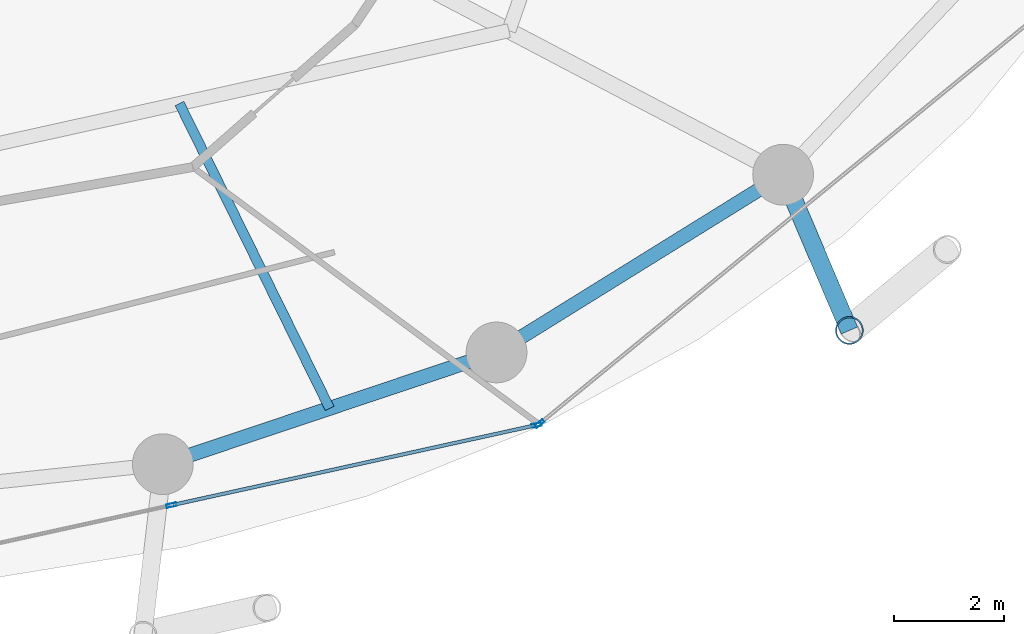
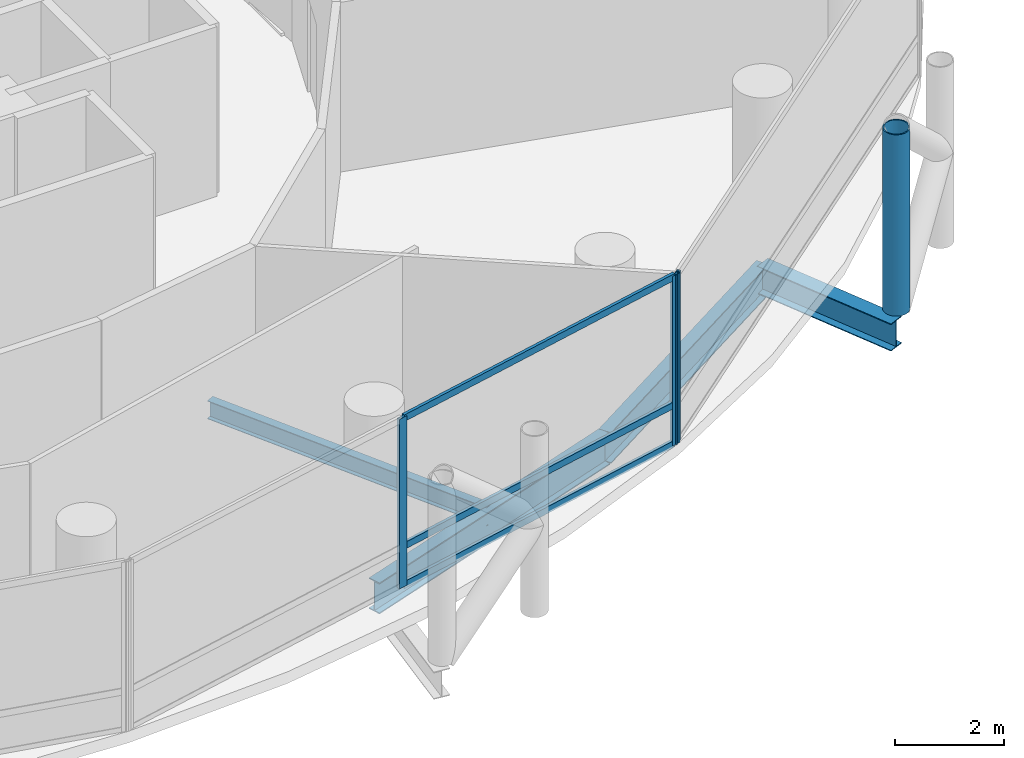
# One storey, part 8 of 24: 7 members, 4 beams, 2 elements without a shape of their own.
"""IFC4 building model written with IfcOpenShell, lengths in metres."""

from ifc_helpers import new_model, si_unit, direction, frame, origin, origin_2d, place, context, subcontext, project, spatial, hollow_rectangle, hollow_circle, i_section, extrude, material, layer, layer_set, material_profile, profile_set, type_object, element, aggregate, save


model = new_model("IFC4")

# Units and contexts
model_context = context("Model", 3, precision=1e-05, world=origin(), true_north=direction((0.0, 1.0)))
body_context = subcontext(model_context, "Body", "Model", "MODEL_VIEW")
ifc_project = project(units=[si_unit("LENGTHUNIT", "METRE"), si_unit("AREAUNIT", "SQUARE_METRE"), si_unit("VOLUMEUNIT", "CUBIC_METRE"), si_unit("PLANEANGLEUNIT", "RADIAN"), si_unit("MASSUNIT", "GRAM", prefix="KILO")], contexts=[model_context])

# Site, building, storey
site_placement = place(None, origin())
site = spatial("IfcSite", under=ifc_project, at=site_placement, CompositionType="ELEMENT")
building_placement = place(site_placement, origin())
building = spatial("IfcBuilding", under=site, at=building_placement, Name="Nuhasar Tower", CompositionType="ELEMENT")
storey_placement = place(building_placement, frame((0.0, 0.0, 37.199951171875)))
storey = spatial("IfcBuildingStorey", under=building, at=storey_placement, Name="L08", CompositionType="ELEMENT", Elevation=37.199951171875)

# Beams
ifc_material_1 = material(Name="Steel S355", Category="steel")
ifc_material_profile_1 = material_profile(ifc_material_1, i_section(OverallWidth=0.177978515625, OverallDepth=0.406005859375, WebThickness=0.0078125, FlangeThickness=0.0126953125, at=origin_2d()), Name="W16X40")
ifc_profile_set_1 = profile_set([ifc_material_profile_1], Name="Steel S355")
beam_type_1 = type_object("IfcBeamType", Name="BM-JST-W16X40", PredefinedType="JOIST", material=ifc_profile_set_1)
beam_1_placement = place(storey_placement, frame((45.783935546875, 13.77001953125, -0.462890625), z_axis=(0.442126747458, -0.89695258469, 0.0), x_axis=(0.89695258469, 0.442126747458, 0.0)))
element("IfcBeam", 1, at=beam_1_placement, inside=storey, type_object=beam_type_1, Name="L08 Secondary Floor Joist 02", PredefinedType="JOIST", context=body_context, shape_type="SweptSolid", body=[
    extrude(i_section(OverallWidth=0.177978515625, OverallDepth=0.406005859375, WebThickness=0.0078125, FlangeThickness=0.0126953125, at=origin_2d()), origin(), (0.0, 0.0, 1.0), 6.152099609375),
])
ifc_material_profile_2 = material_profile(ifc_material_1, i_section(OverallWidth=0.256103515625, OverallDepth=0.693115234375, WebThickness=0.014404296875, FlangeThickness=0.023681640625, at=origin_2d()), Name="W27X114")
ifc_profile_set_2 = profile_set([ifc_material_profile_2], Name="Steel S355")
beam_type_2 = type_object("IfcBeamType", Name="BM-RING-W27X114", PredefinedType="SPANDREL", material=ifc_profile_set_2)
beam_2_placement = place(storey_placement, frame((45.48291015625, 7.239990234375, -0.60693359375), z_axis=(0.94826097201, 0.317491935271, 0.0), x_axis=(-0.317491935271, 0.94826097201, 0.0)))
element("IfcBeam", 2, at=beam_2_placement, inside=storey, type_object=beam_type_2, Name="L08 Perimeter Ring Spandrel 20", PredefinedType="SPANDREL", context=body_context, shape_type="SweptSolid", body=[
    extrude(i_section(OverallWidth=0.256103515625, OverallDepth=0.693115234375, WebThickness=0.014404296875, FlangeThickness=0.023681640625, at=origin_2d()), origin(), (0.0, 0.0, 1.0), 6.37158203125),
])
beam_3_placement = place(storey_placement, frame((51.52490234375, 9.262939453125, -0.60693359375), z_axis=(0.849795216549, 0.527112976439, 0.0), x_axis=(-0.527112976439, 0.849795216549, 0.0)))
element("IfcBeam", 3, at=beam_3_placement, inside=storey, type_object=beam_type_2, Name="L08 Perimeter Ring Spandrel 21", PredefinedType="SPANDREL", context=body_context, shape_type="SweptSolid", body=[
    extrude(i_section(OverallWidth=0.256103515625, OverallDepth=0.693115234375, WebThickness=0.014404296875, FlangeThickness=0.023681640625, at=origin_2d()), origin(), (0.0, 0.0, 1.0), 6.10498046875),
])
ifc_material_profile_3 = material_profile(ifc_material_1, i_section(OverallWidth=0.323974609375, OverallDepth=0.611083984375, WebThickness=0.0126953125, FlangeThickness=0.01904296875, at=origin_2d()), Name="W24X104")
ifc_profile_set_3 = profile_set([ifc_material_profile_3], Name="Steel S355")
beam_type_3 = type_object("IfcBeamType", Name="BM-TIE-W24X104", PredefinedType="BEAM", material=ifc_profile_set_3)
beam_4_placement = place(storey_placement, frame((56.712890625, 12.48095703125, -0.56591796875), z_axis=(0.391601084021, -0.920135093882, 0.0), x_axis=(0.920135093882, 0.391601084021, 0.0)))
element("IfcBeam", 4, at=beam_4_placement, inside=storey, type_object=beam_type_3, Name="L08 Exoskeleton Node Tie Beam 11", PredefinedType="BEAM", context=body_context, shape_type="SweptSolid", body=[
    extrude(i_section(OverallWidth=0.323974609375, OverallDepth=0.611083984375, WebThickness=0.0126953125, FlangeThickness=0.01904296875, at=origin_2d()), origin(), (0.0, 0.0, 1.0), 3.06494140625),
])

# Curtain wall, members
ifc_material_2 = material(Name="Aluminium 6063-T6", Category="aluminium")
ifc_layer = layer(ifc_material_2, 0.199951171875)
ifc_layer_set = layer_set([ifc_layer], Name="Aluminium 6063-T6")
curtain_wall_type = type_object("IfcCurtainWallType", Name="CW-Z1-OFF", PredefinedType="NOTDEFINED", material=ifc_layer_set)
curtain_wall_1_placement = place(storey_placement, origin())
curtain_wall_1 = element("IfcCurtainWall", 5, at=curtain_wall_1_placement, inside=storey, type_object=curtain_wall_type, Name="L08 Unitised Curtain Wall 10", PredefinedType="NOTDEFINED")
ifc_material_profile_4 = material_profile(ifc_material_2, hollow_rectangle(XDim=0.06494140625, YDim=0.179931640625, WallThickness=0.0048828125, at=origin_2d()), Name="CWM-2")
ifc_profile_set_4 = profile_set([ifc_material_profile_4], Name="Aluminium 6063-T6")
member_type_1 = type_object("IfcMemberType", Name="CW-MUL-S2", PredefinedType="MULLION", material=ifc_profile_set_4)
member_1_placement = place(storey_placement, frame((45.639892578125, 6.49755859375, 0.0), z_axis=(0.0, 0.0, 1.0), x_axis=(-0.214398737637, 0.976746221544, 0.0)))
member_1 = element("IfcMember", 6, at=member_1_placement, type_object=member_type_1, Name="CW-Z1 mullion 2", PredefinedType="MULLION", context=body_context, shape_type="SweptSolid", body=[
    extrude(hollow_rectangle(XDim=0.06494140625, YDim=0.179931640625, WallThickness=0.0048828125, at=origin_2d()), origin(), (0.0, 0.0, 1.0), 3.7900390625),
])
member_2_placement = place(storey_placement, frame((52.248291015625, 7.947998046875, 0.0), z_axis=(0.0, 0.0, 1.0), x_axis=(-0.214398737637, 0.976746221544, 0.0)))
member_2 = element("IfcMember", 7, at=member_2_placement, type_object=member_type_1, Name="CW-Z1 mullion 3", PredefinedType="MULLION", context=body_context, shape_type="SweptSolid", body=[
    extrude(hollow_rectangle(XDim=0.06494140625, YDim=0.179931640625, WallThickness=0.0048828125, at=origin_2d()), origin(), (0.0, 0.0, 1.0), 3.7900390625),
])

# Curtain wall, member
curtain_wall_2_placement = place(storey_placement, origin())
curtain_wall_2 = element("IfcCurtainWall", 8, at=curtain_wall_2_placement, inside=storey, type_object=curtain_wall_type, Name="L08 Unitised Curtain Wall 11", PredefinedType="NOTDEFINED")
member_3_placement = place(storey_placement, frame((52.30517578125, 7.9755859375, 0.0), z_axis=(0.0, 0.0, 1.0), x_axis=(-0.633744593376, 0.773542364946, 0.0)))
member_3 = element("IfcMember", 9, at=member_3_placement, type_object=member_type_1, Name="CW-Z1 mullion 1", PredefinedType="MULLION", context=body_context, shape_type="SweptSolid", body=[
    extrude(hollow_rectangle(XDim=0.06494140625, YDim=0.179931640625, WallThickness=0.0048828125, at=origin_2d()), origin(), (0.0, 0.0, 1.0), 3.7900390625),
])
aggregate(curtain_wall_2, [member_3])

# Member
ifc_material_profile_5 = material_profile(ifc_material_2, hollow_rectangle(XDim=0.06494140625, YDim=0.14990234375, WallThickness=0.00439453125, at=origin_2d()), Name="CWT-2")
ifc_profile_set_5 = profile_set([ifc_material_profile_5], Name="Aluminium 6063-T6")
member_type_2 = type_object("IfcMemberType", Name="CW-TRN-S2", PredefinedType="USERDEFINED", material=ifc_profile_set_5)
member_4_placement = place(storey_placement, frame((45.671630859375, 6.50439453125, 0.032470703125), z_axis=(0.976741923778, 0.214418316228, 0.0), x_axis=(-0.214418316228, 0.976741923778, 0.0)))
member_4 = element("IfcMember", 10, at=member_4_placement, type_object=member_type_2, Name="CW-Z1 transom 2.1", ObjectType="TRANSOM", PredefinedType="USERDEFINED", context=body_context, shape_type="SweptSolid", body=[
    extrude(hollow_rectangle(XDim=0.06494140625, YDim=0.14990234375, WallThickness=0.00439453125, at=origin_2d()), origin(), (0.0, 0.0, 1.0), 6.70068359375),
])

member_5_placement = place(storey_placement, frame((45.671630859375, 6.50439453125, 0.900146484375), z_axis=(0.976741923778, 0.214418316228, 0.0), x_axis=(-0.214418316228, 0.976741923778, 0.0)))
member_5 = element("IfcMember", 11, at=member_5_placement, type_object=member_type_2, Name="CW-Z1 transom 2.2", ObjectType="TRANSOM", PredefinedType="USERDEFINED", context=body_context, shape_type="SweptSolid", body=[
    extrude(hollow_rectangle(XDim=0.06494140625, YDim=0.14990234375, WallThickness=0.00439453125, at=origin_2d()), origin(), (0.0, 0.0, 1.0), 6.70068359375),
])

member_6_placement = place(storey_placement, frame((45.671630859375, 6.50439453125, 3.757568359375), z_axis=(0.976741923778, 0.214418316228, 0.0), x_axis=(-0.214418316228, 0.976741923778, 0.0)))
member_6 = element("IfcMember", 12, at=member_6_placement, type_object=member_type_2, Name="CW-Z1 transom 2.3", ObjectType="TRANSOM", PredefinedType="USERDEFINED", context=body_context, shape_type="SweptSolid", body=[
    extrude(hollow_rectangle(XDim=0.06494140625, YDim=0.14990234375, WallThickness=0.00439453125, at=origin_2d()), origin(), (0.0, 0.0, 1.0), 6.70068359375),
])

aggregate(curtain_wall_1, [member_1, member_2, member_4, member_5, member_6])

ifc_material_3 = material(Name="Steel S460", Category="steel")
ifc_material_profile_6 = material_profile(ifc_material_3, hollow_circle(Radius=0.25390625, WallThickness=0.025390625, at=origin_2d()), Name="HSS508X25.4")
ifc_profile_set_6 = profile_set([ifc_material_profile_6], Name="Steel S460")
member_type_3 = type_object("IfcMemberType", Name="EXO-BRONZE-508", PredefinedType="BRACE", material=ifc_profile_set_6)
member_7_placement = place(storey_placement, frame((57.9130859375, 9.660888671875, 0.0), z_axis=(0.0, 0.0, 1.0), x_axis=(1.0, 0.0, 0.0)))
element("IfcMember", 13, at=member_7_placement, inside=storey, type_object=member_type_3, Name="L08 Exoskeleton Chord Column EC-11A", PredefinedType="BRACE", context=body_context, shape_type="SweptSolid", body=[
    extrude(hollow_circle(Radius=0.25390625, WallThickness=0.025390625, at=origin_2d()), origin(), (0.0, 0.0, 1.0), 4.050048828125),
])

save(model, "model.ifc")
